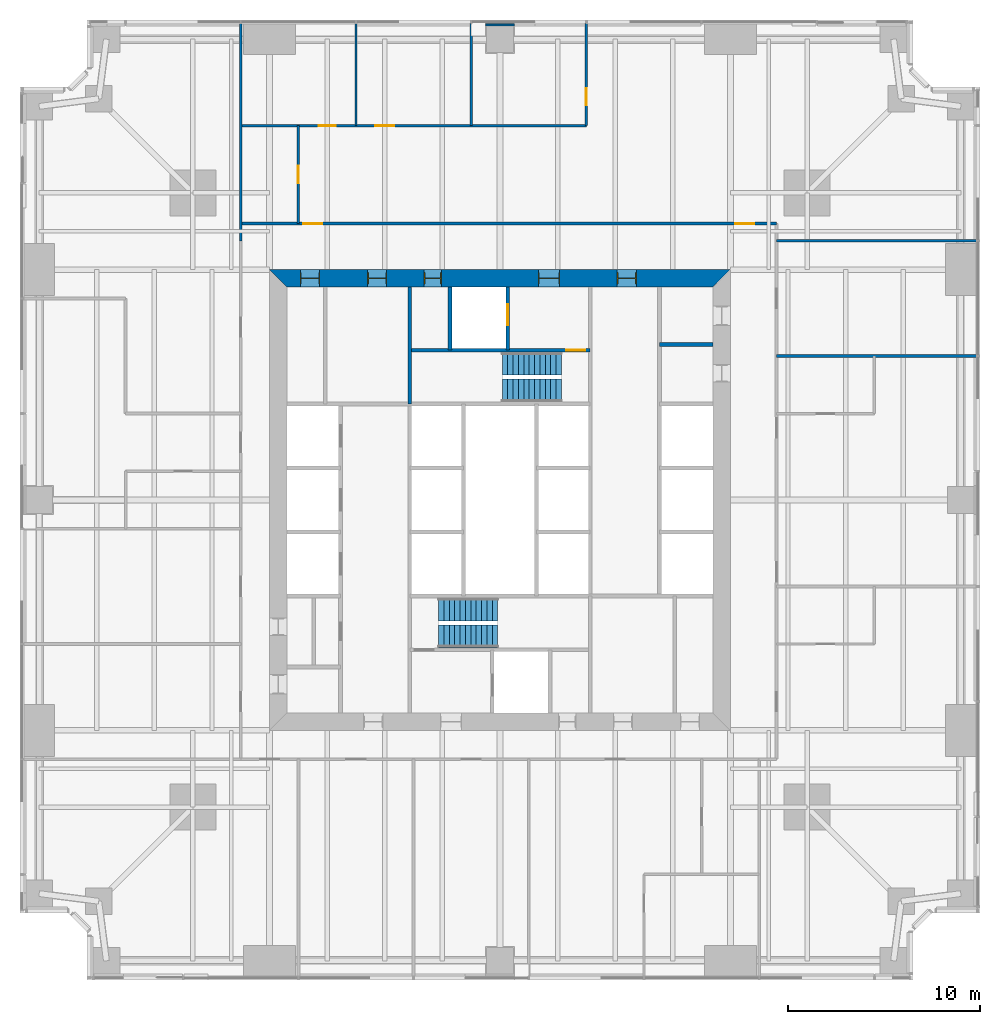
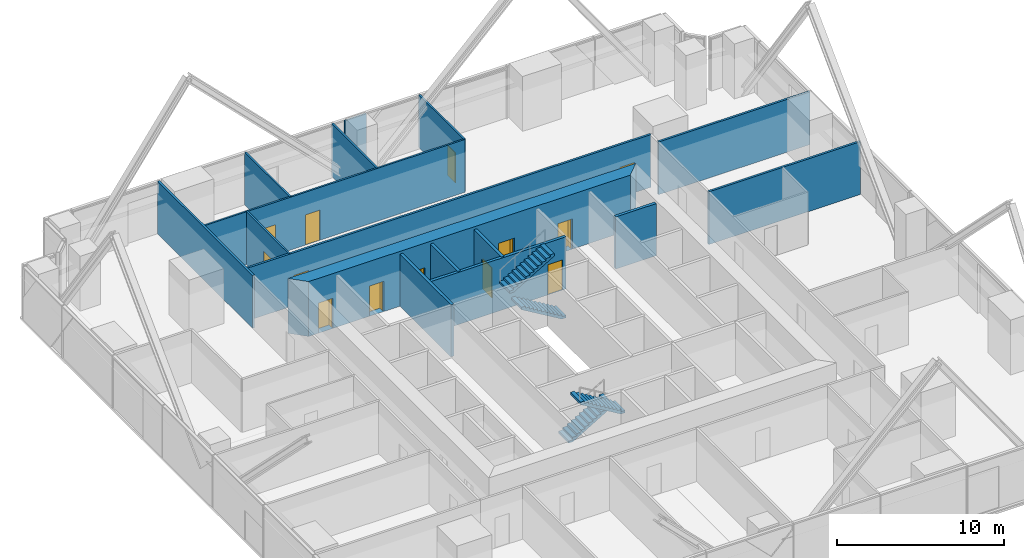
# One storey, part 11 of 13: 16 walls, 13 doors, 4 stair flights, 13 openings, 2 elements without a shape of their own.
"""IFC4 building model written with IfcOpenShell, lengths in metres."""

from ifc_helpers import new_model, si_unit, direction, frame, frame_2d, origin, place, context, subcontext, project, spatial, polyline, rectangle, outline, extrude, material, layer, layer_set, type_object, element, fill, aggregate, save


model = new_model("IFC4")

# Units and contexts
model_context = context("Model", 3, precision=1e-05, world=origin(), true_north=direction((0.0, 1.0)))
body_context = subcontext(model_context, "Body", "Model", "MODEL_VIEW")
ifc_project = project(units=[si_unit("LENGTHUNIT", "METRE"), si_unit("AREAUNIT", "SQUARE_METRE"), si_unit("VOLUMEUNIT", "CUBIC_METRE"), si_unit("PLANEANGLEUNIT", "RADIAN"), si_unit("MASSUNIT", "GRAM", prefix="KILO")], contexts=[model_context])

# Site, building, storey
site_placement = place(None, origin())
site = spatial("IfcSite", under=ifc_project, at=site_placement, CompositionType="ELEMENT")
building_placement = place(site_placement, origin())
building = spatial("IfcBuilding", under=site, at=building_placement, Name="Fenwick Lantern Interchange", CompositionType="ELEMENT")
storey_placement = place(building_placement, frame((0.0, 0.0, 67.0)))
storey = spatial("IfcBuildingStorey", under=building, at=storey_placement, Name="L15", CompositionType="ELEMENT", Elevation=67.0)

# Wall
ifc_material_1 = material(Name="Fire-rated gypsum board encasement on steel studs, 2 hour", Category="steel")
ifc_layer_1 = layer(ifc_material_1, 1.5)
ifc_layer_set_1 = layer_set([ifc_layer_1], Name="COLUMN PIER 1500")
wall_type_1 = type_object("IfcWallType", Name="COLUMN PIER 1500", PredefinedType="PARTITIONING", material=ifc_layer_set_1)
wall_1_placement = place(storey_placement, frame((25.0, 49.800048828125, 0.0), z_axis=(0.0, 0.0, 1.0), x_axis=(0.0, -1.0, 0.0)))
element("IfcWall", 1, at=wall_1_placement, inside=storey, type_object=wall_type_1, Name="L15/W/PIER/CN3", PredefinedType="PARTITIONING", context=body_context, shape_type="SweptSolid", body=[
    extrude(rectangle(XDim=0.10009765625, YDim=1.5, at=frame_2d((0.050048828125, 0.0))), origin(), (0.0, 0.0, 1.0), 3.85009765625),
])

# Wall, opening, door
ifc_material_2 = material(Name="Concrete masonry ASTM C90 Grade N", Category="masonry")
ifc_layer_2 = layer(ifc_material_2, 0.199951171875)
ifc_layer_set_2 = layer_set([ifc_layer_2], Name="Concrete masonry ASTM C90 Grade N")
wall_type_2 = type_object("IfcWallType", Name="CORE PARTITION 200", PredefinedType="PARTITIONING", material=ifc_layer_set_2)
wall_2_placement = place(storey_placement, frame((25.39990234375, 36.10009765625, 0.0), z_axis=(0.0, 0.0, 1.0), x_axis=(0.0, -1.0, 0.0)))
wall_2 = element("IfcWall", 2, at=wall_2_placement, inside=storey, type_object=wall_type_2, Name="L15/W/COREN/h1", PredefinedType="PARTITIONING", context=body_context, shape_type="SweptSolid", body=[
    extrude(rectangle(XDim=3.300048828125, YDim=0.199951171875, at=frame_2d((1.64990234375, 0.0))), origin(), (0.0, 0.0, 1.0), 3.800048828125),
])
opening_1_placement = place(wall_2_placement, frame((0.89990234375, 0.0, 0.0)))
opening_1 = element("IfcOpeningElement", 3, at=opening_1_placement, cuts=wall_2, Name="Opening LD-FL2", PredefinedType="OPENING", context=body_context, shape_type="SweptSolid", body=[
    extrude(rectangle(XDim=1.10009765625, YDim=2.199951171875, at=frame_2d((0.550048828125, 1.10009765625))), frame((0.0, 0.10986328125, 0.0), z_axis=(0.0, -1.0, 0.0), x_axis=(1.0, 0.0, 0.0)), (0.0, 0.0, 1.0), 0.219970703125),
])
ifc_material_3 = material(Name="Steel door and frame", Category="steel")
door_type_1 = type_object("IfcDoorType", Name="LIFT LANDING DOOR 1100 X 2200", OperationType="DOUBLE_DOOR_SLIDING", PredefinedType="DOOR", material=ifc_material_3)
door_1_placement = place(opening_1_placement, origin())
door_1 = element("IfcDoor", 4, at=door_1_placement, inside=storey, type_object=door_type_1, Name="Lift landing door FL2", OperationType="DOUBLE_DOOR_SLIDING", OverallHeight=2.199951171875, OverallWidth=1.10009765625, PredefinedType="DOOR", context=body_context, shape_type="SweptSolid", body=[
    extrude(rectangle(XDim=1.10009765625, YDim=2.199951171875, at=frame_2d((0.550048828125, 1.10009765625))), frame((0.0, 0.02490234375, 0.0), z_axis=(0.0, -1.0, 0.0), x_axis=(1.0, 0.0, 0.0)), (0.0, 0.0, 1.0), 0.050048828125),
])
fill(opening_1, door_1)

# Walls
wall_3_placement = place(storey_placement, frame((22.39990234375, 36.10009765625, 0.0), z_axis=(0.0, 0.0, 1.0), x_axis=(0.0, -1.0, 0.0)))
element("IfcWall", 5, at=wall_3_placement, inside=storey, type_object=wall_type_2, Name="L15/W/COREN/h2", PredefinedType="PARTITIONING", context=body_context, shape_type="SweptSolid", body=[
    extrude(rectangle(XDim=3.300048828125, YDim=0.199951171875, at=frame_2d((1.64990234375, 0.0))), origin(), (0.0, 0.0, 1.0), 3.800048828125),
])
wall_4_placement = place(storey_placement, frame((36.10009765625, 33.10009765625, 0.0), z_axis=(0.0, 0.0, 1.0), x_axis=(-1.0, 0.0, 0.0)))
element("IfcWall", 6, at=wall_4_placement, inside=storey, type_object=wall_type_2, Name="L15/W/COREN/p1", PredefinedType="PARTITIONING", context=body_context, shape_type="SweptSolid", body=[
    extrude(rectangle(XDim=2.800048828125, YDim=0.199951171875, at=frame_2d((1.39990234375, 0.0))), origin(), (0.0, 0.0, 1.0), 3.800048828125),
])

# Wall, openings, doors
ifc_material_4 = material(Name="Concrete f'c 70 MPa", Category="concrete")
ifc_layer_3 = layer(ifc_material_4, 0.89990234375)
ifc_layer_set_3 = layer_set([ifc_layer_3], Name="CORE WALL 900")
wall_type_3 = type_object("IfcWallType", Name="CORE WALL 900", PredefinedType="SHEAR", material=ifc_layer_set_3)
wall_5_placement = place(storey_placement, frame((37.0, 36.550048828125, 0.0), z_axis=(0.0, 0.0, 1.0), x_axis=(-1.0, 0.0, 0.0)))
wall_5 = element("IfcWall", 7, at=wall_5_placement, inside=storey, type_object=wall_type_3, Name="L15/CORE/N", PredefinedType="SHEAR", context=body_context, shape_type="SweptSolid", body=[
    extrude(outline(polyline([(0.0, -0.449951171875), (24.0, -0.449951171875), (23.10009765625, 0.449951171875), (0.89990234375, 0.449951171875), (0.0, -0.449951171875)])), origin(), (0.0, 0.0, 1.0), 4.0),
])
opening_2_placement = place(wall_5_placement, frame((4.89990234375, 0.0, 0.0)))
opening_2 = element("IfcOpeningElement", 8, at=opening_2_placement, cuts=wall_5, Name="Opening L15-D010", PredefinedType="OPENING", context=body_context, shape_type="SweptSolid", body=[
    extrude(rectangle(XDim=1.0, YDim=2.199951171875, at=frame_2d((0.5, 1.10009765625))), frame((0.0, 0.4599609375, 0.0), z_axis=(0.0, -1.0, 0.0), x_axis=(1.0, 0.0, 0.0)), (0.0, 0.0, 1.0), 0.919921875),
])
opening_3_placement = place(wall_5_placement, frame((8.89990234375, 0.0, 0.0)))
opening_3 = element("IfcOpeningElement", 9, at=opening_3_placement, cuts=wall_5, Name="Opening L15-D011", PredefinedType="OPENING", context=body_context, shape_type="SweptSolid", body=[
    extrude(rectangle(XDim=1.10009765625, YDim=2.199951171875, at=frame_2d((0.550048828125, 1.10009765625))), frame((0.0, 0.4599609375, 0.0), z_axis=(0.0, -1.0, 0.0), x_axis=(1.0, 0.0, 0.0)), (0.0, 0.0, 1.0), 0.919921875),
])
opening_4_placement = place(wall_5_placement, frame((15.050048828125, 0.0, 0.0)))
opening_4 = element("IfcOpeningElement", 10, at=opening_4_placement, cuts=wall_5, Name="Opening L15-D013", PredefinedType="OPENING", context=body_context, shape_type="SweptSolid", body=[
    extrude(rectangle(XDim=0.89990234375, YDim=2.199951171875, at=frame_2d((0.449951171875, 1.10009765625))), frame((0.0, 0.4599609375, 0.0), z_axis=(0.0, -1.0, 0.0), x_axis=(1.0, 0.0, 0.0)), (0.0, 0.0, 1.0), 0.919921875),
])
opening_5_placement = place(wall_5_placement, frame((17.89990234375, 0.0, 0.0)))
opening_5 = element("IfcOpeningElement", 11, at=opening_5_placement, cuts=wall_5, Name="Opening L15-D014", PredefinedType="OPENING", context=body_context, shape_type="SweptSolid", body=[
    extrude(rectangle(XDim=1.0, YDim=2.199951171875, at=frame_2d((0.5, 1.10009765625))), frame((0.0, 0.4599609375, 0.0), z_axis=(0.0, -1.0, 0.0), x_axis=(1.0, 0.0, 0.0)), (0.0, 0.0, 1.0), 0.919921875),
])
opening_6_placement = place(wall_5_placement, frame((21.39990234375, 0.0, 0.0)))
opening_6 = element("IfcOpeningElement", 12, at=opening_6_placement, cuts=wall_5, Name="Opening L15-D015", PredefinedType="OPENING", context=body_context, shape_type="SweptSolid", body=[
    extrude(rectangle(XDim=1.0, YDim=2.199951171875, at=frame_2d((0.5, 1.10009765625))), frame((0.0, 0.4599609375, 0.0), z_axis=(0.0, -1.0, 0.0), x_axis=(1.0, 0.0, 0.0)), (0.0, 0.0, 1.0), 0.919921875),
])
door_type_2 = type_object("IfcDoorType", Name="CORE LOBBY DOOR 1000 X 2200", OperationType="SINGLE_SWING_LEFT", PredefinedType="DOOR", material=ifc_material_3)
door_2_placement = place(opening_2_placement, origin())
door_2 = element("IfcDoor", 13, at=door_2_placement, inside=storey, type_object=door_type_2, Name="Core lobby door", OperationType="SINGLE_SWING_LEFT", OverallHeight=2.199951171875, OverallWidth=1.0, PredefinedType="DOOR", context=body_context, shape_type="SweptSolid", body=[
    extrude(rectangle(XDim=1.0, YDim=2.199951171875, at=frame_2d((0.5, 1.10009765625))), frame((0.0, 0.02490234375, 0.0), z_axis=(0.0, -1.0, 0.0), x_axis=(1.0, 0.0, 0.0)), (0.0, 0.0, 1.0), 0.050048828125),
    extrude(outline(polyline([(0.0, 0.0), (0.0400390625, 0.0), (0.0400390625, 2.159912109375), (0.9599609375, 2.159912109375), (0.9599609375, 0.0), (1.0, 0.0), (1.0, 2.199951171875), (0.0, 2.199951171875), (0.0, 0.0)])), frame((0.0, 0.300048828125, 0.0), z_axis=(0.0, -1.0, 0.0), x_axis=(1.0, 0.0, 0.0)), (0.0, 0.0, 1.0), 0.60009765625),
])
fill(opening_2, door_2)
door_type_3 = type_object("IfcDoorType", Name="FIRE LOBBY DOOR 1100 X 2200", OperationType="SINGLE_SWING_LEFT", PredefinedType="DOOR", material=ifc_material_3)
door_3_placement = place(opening_3_placement, origin())
door_3 = element("IfcDoor", 14, at=door_3_placement, inside=storey, type_object=door_type_3, Name="Fire lobby door", OperationType="SINGLE_SWING_LEFT", OverallHeight=2.199951171875, OverallWidth=1.10009765625, PredefinedType="DOOR", context=body_context, shape_type="SweptSolid", body=[
    extrude(rectangle(XDim=1.10009765625, YDim=2.199951171875, at=frame_2d((0.550048828125, 1.10009765625))), frame((0.0, 0.02490234375, 0.0), z_axis=(0.0, -1.0, 0.0), x_axis=(1.0, 0.0, 0.0)), (0.0, 0.0, 1.0), 0.050048828125),
    extrude(outline(polyline([(0.0, 0.0), (0.0400390625, 0.0), (0.0400390625, 2.159912109375), (1.06005859375, 2.159912109375), (1.06005859375, 0.0), (1.10009765625, 0.0), (1.10009765625, 2.199951171875), (0.0, 2.199951171875), (0.0, 0.0)])), frame((0.0, 0.300048828125, 0.0), z_axis=(0.0, -1.0, 0.0), x_axis=(1.0, 0.0, 0.0)), (0.0, 0.0, 1.0), 0.60009765625),
])
fill(opening_3, door_3)
door_type_4 = type_object("IfcDoorType", Name="SERVICE DOOR 900 X 2200", OperationType="SINGLE_SWING_LEFT", PredefinedType="DOOR", material=ifc_material_3)
door_4_placement = place(opening_4_placement, origin())
door_4 = element("IfcDoor", 15, at=door_4_placement, inside=storey, type_object=door_type_4, Name="Service door", OperationType="SINGLE_SWING_LEFT", OverallHeight=2.199951171875, OverallWidth=0.89990234375, PredefinedType="DOOR", context=body_context, shape_type="SweptSolid", body=[
    extrude(rectangle(XDim=0.89990234375, YDim=2.199951171875, at=frame_2d((0.449951171875, 1.10009765625))), frame((0.0, 0.02490234375, 0.0), z_axis=(0.0, -1.0, 0.0), x_axis=(1.0, 0.0, 0.0)), (0.0, 0.0, 1.0), 0.050048828125),
    extrude(outline(polyline([(0.0, 0.0), (0.0400390625, 0.0), (0.0400390625, 2.159912109375), (0.85986328125, 2.159912109375), (0.85986328125, 0.0), (0.89990234375, 0.0), (0.89990234375, 2.199951171875), (0.0, 2.199951171875), (0.0, 0.0)])), frame((0.0, 0.300048828125, 0.0), z_axis=(0.0, -1.0, 0.0), x_axis=(1.0, 0.0, 0.0)), (0.0, 0.0, 1.0), 0.60009765625),
])
fill(opening_4, door_4)
ifc_material_5 = material(Name="Hardwood door and steel frame", Category="steel")
door_type_5 = type_object("IfcDoorType", Name="WC DOOR 1000 X 2200", OperationType="SINGLE_SWING_LEFT", PredefinedType="DOOR", material=ifc_material_5)
door_5_placement = place(opening_5_placement, origin())
door_5 = element("IfcDoor", 16, at=door_5_placement, inside=storey, type_object=door_type_5, Name="Wc door", OperationType="SINGLE_SWING_LEFT", OverallHeight=2.199951171875, OverallWidth=1.0, PredefinedType="DOOR", context=body_context, shape_type="SweptSolid", body=[
    extrude(rectangle(XDim=1.0, YDim=2.199951171875, at=frame_2d((0.5, 1.10009765625))), frame((0.0, 0.02490234375, 0.0), z_axis=(0.0, -1.0, 0.0), x_axis=(1.0, 0.0, 0.0)), (0.0, 0.0, 1.0), 0.050048828125),
    extrude(outline(polyline([(0.0, 0.0), (0.0400390625, 0.0), (0.0400390625, 2.159912109375), (0.9599609375, 2.159912109375), (0.9599609375, 0.0), (1.0, 0.0), (1.0, 2.199951171875), (0.0, 2.199951171875), (0.0, 0.0)])), frame((0.0, 0.300048828125, 0.0), z_axis=(0.0, -1.0, 0.0), x_axis=(1.0, 0.0, 0.0)), (0.0, 0.0, 1.0), 0.60009765625),
])
fill(opening_5, door_5)
door_6_placement = place(opening_6_placement, origin())
door_6 = element("IfcDoor", 17, at=door_6_placement, inside=storey, type_object=door_type_5, Name="Wc door", OperationType="SINGLE_SWING_LEFT", OverallHeight=2.199951171875, OverallWidth=1.0, PredefinedType="DOOR", context=body_context, shape_type="SweptSolid", body=[
    extrude(rectangle(XDim=1.0, YDim=2.199951171875, at=frame_2d((0.5, 1.10009765625))), frame((0.0, 0.02490234375, 0.0), z_axis=(0.0, -1.0, 0.0), x_axis=(1.0, 0.0, 0.0)), (0.0, 0.0, 1.0), 0.050048828125),
    extrude(outline(polyline([(0.0, 0.0), (0.0400390625, 0.0), (0.0400390625, 2.159912109375), (0.9599609375, 2.159912109375), (0.9599609375, 0.0), (1.0, 0.0), (1.0, 2.199951171875), (0.0, 2.199951171875), (0.0, 0.0)])), frame((0.0, 0.300048828125, 0.0), z_axis=(0.0, -1.0, 0.0), x_axis=(1.0, 0.0, 0.0)), (0.0, 0.0, 1.0), 0.60009765625),
])
fill(opening_6, door_6)

ifc_material_6 = material(Name="Gypsum board on steel studs, 1 hour", Category="steel")
ifc_layer_4 = layer(ifc_material_6, 0.14990234375)
ifc_layer_set_4 = layer_set([ifc_layer_4], Name="CORRIDOR WALL 150")
wall_type_4 = type_object("IfcWallType", Name="CORRIDOR WALL 150", PredefinedType="PARTITIONING", material=ifc_layer_set_4)
wall_6_placement = place(storey_placement, frame((39.39990234375, 39.39990234375, 0.0), z_axis=(0.0, 0.0, 1.0), x_axis=(-1.0, 0.0, 0.0)))
wall_6 = element("IfcWall", 18, at=wall_6_placement, inside=storey, type_object=wall_type_4, Name="L15/W/OFF/N/CW2", PredefinedType="PARTITIONING", context=body_context, shape_type="SweptSolid", body=[
    extrude(rectangle(XDim=27.89990234375, YDim=0.14990234375, at=frame_2d((13.949951171875, 0.0))), origin(), (0.0, 0.0, 1.0), 3.85009765625),
])
opening_7_placement = place(wall_6_placement, frame((1.14990234375, 0.0, 0.0)))
opening_7 = element("IfcOpeningElement", 19, at=opening_7_placement, cuts=wall_6, Name="Opening L15-D030", PredefinedType="OPENING", context=body_context, shape_type="SweptSolid", body=[
    extrude(rectangle(XDim=1.0, YDim=2.199951171875, at=frame_2d((0.5, 1.10009765625))), frame((0.0, 0.0849609375, 0.0), z_axis=(0.0, -1.0, 0.0), x_axis=(1.0, 0.0, 0.0)), (0.0, 0.0, 1.0), 0.169921875),
])
opening_8_placement = place(wall_6_placement, frame((23.64990234375, 0.0, 0.0)))
opening_8 = element("IfcOpeningElement", 20, at=opening_8_placement, cuts=wall_6, Name="Opening L15-D031", PredefinedType="OPENING", context=body_context, shape_type="SweptSolid", body=[
    extrude(rectangle(XDim=1.0, YDim=2.199951171875, at=frame_2d((0.5, 1.10009765625))), frame((0.0, 0.0849609375, 0.0), z_axis=(0.0, -1.0, 0.0), x_axis=(1.0, 0.0, 0.0)), (0.0, 0.0, 1.0), 0.169921875),
])
door_type_6 = type_object("IfcDoorType", Name="SUITE ENTRANCE DOOR 1000 X 2200", OperationType="SINGLE_SWING_LEFT", PredefinedType="DOOR", material=ifc_material_3)
door_7_placement = place(opening_7_placement, origin())
door_7 = element("IfcDoor", 21, at=door_7_placement, inside=storey, type_object=door_type_6, Name="Suite entrance door", OperationType="SINGLE_SWING_LEFT", OverallHeight=2.199951171875, OverallWidth=1.0, PredefinedType="DOOR", context=body_context, shape_type="SweptSolid", body=[
    extrude(rectangle(XDim=1.0, YDim=2.199951171875, at=frame_2d((0.5, 1.10009765625))), frame((0.0, 0.02490234375, 0.0), z_axis=(0.0, -1.0, 0.0), x_axis=(1.0, 0.0, 0.0)), (0.0, 0.0, 1.0), 0.050048828125),
])
fill(opening_7, door_7)
door_8_placement = place(opening_8_placement, origin())
door_8 = element("IfcDoor", 22, at=door_8_placement, inside=storey, type_object=door_type_6, Name="Suite entrance door", OperationType="SINGLE_SWING_RIGHT", OverallHeight=2.199951171875, OverallWidth=1.0, PredefinedType="DOOR", context=body_context, shape_type="SweptSolid", body=[
    extrude(rectangle(XDim=1.0, YDim=2.199951171875, at=frame_2d((0.5, 1.10009765625))), frame((0.0, 0.02490234375, 0.0), z_axis=(0.0, -1.0, 0.0), x_axis=(1.0, 0.0, 0.0)), (0.0, 0.0, 1.0), 0.050048828125),
])
fill(opening_8, door_8)

# Wall, opening, door
ifc_material_7 = material(Name="Gypsum board on steel studs, acoustic", Category="steel")
ifc_layer_5 = layer(ifc_material_7, 0.125)
ifc_layer_set_5 = layer_set([ifc_layer_5], Name="OFFICE PARTITION 125")
wall_type_5 = type_object("IfcWallType", Name="OFFICE PARTITION 125", PredefinedType="PARTITIONING", material=ifc_layer_set_5)
wall_7_placement = place(storey_placement, frame((29.5, 49.85009765625, 0.0), z_axis=(0.0, 0.0, 1.0), x_axis=(0.0, -1.0, 0.0)))
wall_7 = element("IfcWall", 23, at=wall_7_placement, inside=storey, type_object=wall_type_5, Name="L15/W/OFF/N/X205-1", PredefinedType="PARTITIONING", context=body_context, shape_type="SweptSolid", body=[
    extrude(rectangle(XDim=5.35009765625, YDim=0.125, at=frame_2d((2.675048828125, 0.0))), origin(), (0.0, 0.0, 1.0), 3.85009765625),
])
opening_9_placement = place(wall_7_placement, frame((3.39990234375, 0.0, 0.0)))
opening_9 = element("IfcOpeningElement", 24, at=opening_9_placement, cuts=wall_7, Name="Opening L15-D032", PredefinedType="OPENING", context=body_context, shape_type="SweptSolid", body=[
    extrude(rectangle(XDim=0.89990234375, YDim=2.199951171875, at=frame_2d((0.449951171875, 1.10009765625))), frame((0.0, 0.072509765625, 0.0), z_axis=(0.0, -1.0, 0.0), x_axis=(1.0, 0.0, 0.0)), (0.0, 0.0, 1.0), 0.14501953125),
])
door_type_7 = type_object("IfcDoorType", Name="OFFICE DOOR 900 X 2200", OperationType="SINGLE_SWING_LEFT", PredefinedType="DOOR", material=ifc_material_5)
door_9_placement = place(opening_9_placement, frame((0.89990234375, 0.0, 0.0), z_axis=(0.0, 0.0, 1.0), x_axis=(-1.0, 0.0, 0.0)))
door_9 = element("IfcDoor", 25, at=door_9_placement, inside=storey, type_object=door_type_7, Name="Office door", OperationType="SINGLE_SWING_LEFT", OverallHeight=2.199951171875, OverallWidth=0.89990234375, PredefinedType="DOOR", context=body_context, shape_type="SweptSolid", body=[
    extrude(rectangle(XDim=0.89990234375, YDim=2.199951171875, at=frame_2d((0.449951171875, 1.10009765625))), frame((0.0, 0.02490234375, 0.0), z_axis=(0.0, -1.0, 0.0), x_axis=(1.0, 0.0, 0.0)), (0.0, 0.0, 1.0), 0.050048828125),
])
fill(opening_9, door_9)

# Walls
for number, where, z_axis, x_axis, name in (
    (26, (23.5, 49.85009765625, 0.0), (0.0, 0.0, 1.0), (0.0, -1.0, 0.0), "L15/W/OFF/N/X265-1"),
    (27, (17.5, 49.85009765625, 0.0), (0.0, 0.0, 1.0), (0.0, -1.0, 0.0), "L15/W/OFF/N/X325-1"),
):
    element("IfcWall", number, at=place(storey_placement, frame(where, z_axis=z_axis, x_axis=x_axis)), inside=storey, type_object=wall_type_5, Name=name, PredefinedType="PARTITIONING", context=body_context, shape_type="SweptSolid", body=[
        extrude(rectangle(XDim=5.35009765625, YDim=0.125, at=frame_2d((2.675048828125, 0.0))), origin(), (0.0, 0.0, 1.0), 3.85009765625),
    ])

# Wall, opening, door
wall_8_placement = place(storey_placement, frame((14.5, 44.5, 0.0), z_axis=(0.0, 0.0, 1.0), x_axis=(0.0, -1.0, 0.0)))
wall_8 = element("IfcWall", 28, at=wall_8_placement, inside=storey, type_object=wall_type_5, Name="L15/W/OFF/N/X355-1", PredefinedType="PARTITIONING", context=body_context, shape_type="SweptSolid", body=[
    extrude(rectangle(XDim=5.10009765625, YDim=0.125, at=frame_2d((2.550048828125, 0.0))), origin(), (0.0, 0.0, 1.0), 3.85009765625),
])
opening_10_placement = place(wall_8_placement, frame((2.10009765625, 0.0, 0.0)))
opening_10 = element("IfcOpeningElement", 29, at=opening_10_placement, cuts=wall_8, Name="Opening L15-D035", PredefinedType="OPENING", context=body_context, shape_type="SweptSolid", body=[
    extrude(rectangle(XDim=0.89990234375, YDim=2.199951171875, at=frame_2d((0.449951171875, 1.10009765625))), frame((0.0, 0.072509765625, 0.0), z_axis=(0.0, -1.0, 0.0), x_axis=(1.0, 0.0, 0.0)), (0.0, 0.0, 1.0), 0.14501953125),
])
door_10_placement = place(opening_10_placement, frame((0.89990234375, 0.0, 0.0), z_axis=(0.0, 0.0, 1.0), x_axis=(-1.0, 0.0, 0.0)))
door_10 = element("IfcDoor", 30, at=door_10_placement, inside=storey, type_object=door_type_7, Name="Office door", OperationType="SINGLE_SWING_RIGHT", OverallHeight=2.199951171875, OverallWidth=0.89990234375, PredefinedType="DOOR", context=body_context, shape_type="SweptSolid", body=[
    extrude(rectangle(XDim=0.89990234375, YDim=2.199951171875, at=frame_2d((0.449951171875, 1.10009765625))), frame((0.0, 0.02490234375, 0.0), z_axis=(0.0, -1.0, 0.0), x_axis=(1.0, 0.0, 0.0)), (0.0, 0.0, 1.0), 0.050048828125),
])
fill(opening_10, door_10)

# Wall, openings, doors
wall_9_placement = place(storey_placement, frame((29.5, 44.5, 0.0), z_axis=(0.0, 0.0, 1.0), x_axis=(-1.0, 0.0, 0.0)))
wall_9 = element("IfcWall", 31, at=wall_9_placement, inside=storey, type_object=wall_type_5, Name="L15/W/OFF/N/Y55-1", PredefinedType="PARTITIONING", context=body_context, shape_type="SweptSolid", body=[
    extrude(rectangle(XDim=18.0, YDim=0.125, at=frame_2d((9.0, 0.0))), origin(), (0.0, 0.0, 1.0), 3.85009765625),
])
opening_11_placement = place(wall_9_placement, frame((10.0, 0.0, 0.0)))
opening_11 = element("IfcOpeningElement", 32, at=opening_11_placement, cuts=wall_9, Name="Opening L15-D033", PredefinedType="OPENING", context=body_context, shape_type="SweptSolid", body=[
    extrude(rectangle(XDim=1.0, YDim=2.199951171875, at=frame_2d((0.5, 1.10009765625))), frame((0.0, 0.072509765625, 0.0), z_axis=(0.0, -1.0, 0.0), x_axis=(1.0, 0.0, 0.0)), (0.0, 0.0, 1.0), 0.14501953125),
])
opening_12_placement = place(wall_9_placement, frame((13.050048828125, 0.0, 0.0)))
opening_12 = element("IfcOpeningElement", 33, at=opening_12_placement, cuts=wall_9, Name="Opening L15-D034", PredefinedType="OPENING", context=body_context, shape_type="SweptSolid", body=[
    extrude(rectangle(XDim=0.89990234375, YDim=2.199951171875, at=frame_2d((0.449951171875, 1.10009765625))), frame((0.0, 0.072509765625, 0.0), z_axis=(0.0, -1.0, 0.0), x_axis=(1.0, 0.0, 0.0)), (0.0, 0.0, 1.0), 0.14501953125),
])
door_type_8 = type_object("IfcDoorType", Name="MEETING ROOM DOOR 1000 X 2200", OperationType="SINGLE_SWING_LEFT", PredefinedType="DOOR", material=ifc_material_5)
door_11_placement = place(opening_11_placement, frame((1.0, 0.0, 0.0), z_axis=(0.0, 0.0, 1.0), x_axis=(-1.0, 0.0, 0.0)))
door_11 = element("IfcDoor", 34, at=door_11_placement, inside=storey, type_object=door_type_8, Name="Meeting room door", OperationType="SINGLE_SWING_LEFT", OverallHeight=2.199951171875, OverallWidth=1.0, PredefinedType="DOOR", context=body_context, shape_type="SweptSolid", body=[
    extrude(rectangle(XDim=1.0, YDim=2.199951171875, at=frame_2d((0.5, 1.10009765625))), frame((0.0, 0.02490234375, 0.0), z_axis=(0.0, -1.0, 0.0), x_axis=(1.0, 0.0, 0.0)), (0.0, 0.0, 1.0), 0.050048828125),
])
fill(opening_11, door_11)
door_12_placement = place(opening_12_placement, frame((0.89990234375, 0.0, 0.0), z_axis=(0.0, 0.0, 1.0), x_axis=(-1.0, 0.0, 0.0)))
door_12 = element("IfcDoor", 35, at=door_12_placement, inside=storey, type_object=door_type_7, Name="Office door", OperationType="SINGLE_SWING_RIGHT", OverallHeight=2.199951171875, OverallWidth=0.89990234375, PredefinedType="DOOR", context=body_context, shape_type="SweptSolid", body=[
    extrude(rectangle(XDim=0.89990234375, YDim=2.199951171875, at=frame_2d((0.449951171875, 1.10009765625))), frame((0.0, 0.02490234375, 0.0), z_axis=(0.0, -1.0, 0.0), x_axis=(1.0, 0.0, 0.0)), (0.0, 0.0, 1.0), 0.050048828125),
])
fill(opening_12, door_12)

# Wall, opening, door
ifc_material_8 = material(Name="Concrete f'c 45 MPa", Category="concrete")
ifc_layer_6 = layer(ifc_material_8, 0.199951171875)
ifc_layer_set_6 = layer_set([ifc_layer_6], Name="STAIR CORE WALL 200")
wall_type_6 = type_object("IfcWallType", Name="STAIR CORE WALL 200", PredefinedType="SOLIDWALL", material=ifc_layer_set_6)
wall_10_placement = place(storey_placement, frame((29.699951171875, 32.800048828125, 0.0), z_axis=(0.0, 0.0, 1.0), x_axis=(-1.0, 0.0, 0.0)))
wall_10 = element("IfcWall", 36, at=wall_10_placement, inside=storey, type_object=wall_type_6, Name="L15/W/COREN/g1", PredefinedType="SOLIDWALL", context=body_context, shape_type="SweptSolid", body=[
    extrude(rectangle(XDim=9.39990234375, YDim=0.199951171875, at=frame_2d((4.699951171875, 0.0))), origin(), (0.0, 0.0, 1.0), 3.800048828125),
])
opening_13_placement = place(wall_10_placement, frame((0.25, 0.0, 0.0)))
opening_13 = element("IfcOpeningElement", 37, at=opening_13_placement, cuts=wall_10, Name="Opening L15-D012", PredefinedType="OPENING", context=body_context, shape_type="SweptSolid", body=[
    extrude(rectangle(XDim=1.0, YDim=2.199951171875, at=frame_2d((0.5, 1.10009765625))), frame((0.0, 0.10986328125, 0.0), z_axis=(0.0, -1.0, 0.0), x_axis=(1.0, 0.0, 0.0)), (0.0, 0.0, 1.0), 0.219970703125),
])
door_type_9 = type_object("IfcDoorType", Name="STAIR DOOR 1000 X 2200", OperationType="SINGLE_SWING_LEFT", PredefinedType="DOOR", material=ifc_material_3)
door_13_placement = place(opening_13_placement, origin())
door_13 = element("IfcDoor", 38, at=door_13_placement, inside=storey, type_object=door_type_9, Name="Stair door", OperationType="SINGLE_SWING_LEFT", OverallHeight=2.199951171875, OverallWidth=1.0, PredefinedType="DOOR", context=body_context, shape_type="SweptSolid", body=[
    extrude(rectangle(XDim=1.0, YDim=2.199951171875, at=frame_2d((0.5, 1.10009765625))), frame((0.0, 0.02490234375, 0.0), z_axis=(0.0, -1.0, 0.0), x_axis=(1.0, 0.0, 0.0)), (0.0, 0.0, 1.0), 0.050048828125),
])
fill(opening_13, door_13)

# Walls
wall_11_placement = place(storey_placement, frame((20.300048828125, 36.10009765625, 0.0), z_axis=(0.0, 0.0, 1.0), x_axis=(0.0, -1.0, 0.0)))
element("IfcWall", 39, at=wall_11_placement, inside=storey, type_object=wall_type_6, Name="L15/W/COREN/i1", PredefinedType="SOLIDWALL", context=body_context, shape_type="SweptSolid", body=[
    extrude(rectangle(XDim=6.10009765625, YDim=0.199951171875, at=frame_2d((3.050048828125, 0.0))), origin(), (0.0, 0.0, 1.0), 3.800048828125),
])
ifc_material_9 = material(Name="Gypsum board on steel studs, 1 hour acoustic", Category="steel")
ifc_layer_7 = layer(ifc_material_9, 0.14990234375)
ifc_layer_set_7 = layer_set([ifc_layer_7], Name="TENANT WALL 150")
wall_type_7 = type_object("IfcWallType", Name="TENANT WALL 150", PredefinedType="PARTITIONING", material=ifc_layer_set_7)
for number, where, z_axis, x_axis, name in (
    (40, (49.85009765625, 32.5, 0.0), (0.0, 0.0, 1.0), (-1.0, 0.0, 0.0), "L15/W/OFF/E/X325-1"),
    (41, (49.85009765625, 38.5, 0.0), (0.0, 0.0, 1.0), (-1.0, 0.0, 0.0), "L15/W/OFF/N/BACK"),
):
    element("IfcWall", number, at=place(storey_placement, frame(where, z_axis=z_axis, x_axis=x_axis)), inside=storey, type_object=wall_type_7, Name=name, PredefinedType="PARTITIONING", context=body_context, shape_type="SweptSolid", body=[
        extrude(rectangle(XDim=10.4501953125, YDim=0.14990234375, at=frame_2d((5.22509765625, 0.0))), origin(), (0.0, 0.0, 1.0), 3.85009765625),
    ])
wall_12_placement = place(storey_placement, frame((11.5, 49.85009765625, 0.0), z_axis=(0.0, 0.0, 1.0), x_axis=(0.0, -1.0, 0.0)))
element("IfcWall", 42, at=wall_12_placement, inside=storey, type_object=wall_type_7, Name="L15/W/OFF/W/BACK", PredefinedType="PARTITIONING", context=body_context, shape_type="SweptSolid", body=[
    extrude(rectangle(XDim=11.35009765625, YDim=0.14990234375, at=frame_2d((5.675048828125, 0.0))), origin(), (0.0, 0.0, 1.0), 3.85009765625),
])

# Stair, stair flights
ifc_material_10 = material(Name="Precast concrete f'c 35 MPa", Category="concrete")
stair_type = type_object("IfcStairType", Name="EXIT STAIR 1200", PredefinedType="HALF_TURN_STAIR", material=ifc_material_10)
stair_1_placement = place(storey_placement, origin())
stair_1 = element("IfcStair", 43, at=stair_1_placement, inside=storey, type_object=stair_type, Name="Exit stair ST1", PredefinedType="HALF_TURN_STAIR")
stair_flight_type = type_object("IfcStairFlightType", Name="STAIR FLIGHT 1200", PredefinedType="STRAIGHT", material=ifc_material_10)
stair_flight_1_placement = place(storey_placement, frame((21.800048828125, 19.300048828125, 0.0), z_axis=(0.0, 0.0, 1.0), x_axis=(1.0, 0.0, 0.0)))
stair_flight_1 = element("IfcStairFlight", 44, at=stair_flight_1_placement, type_object=stair_flight_type, Name="ST1 flight 1", NumberOfRisers=12, NumberOfTreads=11, PredefinedType="STRAIGHT", RiserHeight=0.166666667, TreadLength=0.28, context=body_context, shape_type="SweptSolid", body=[
    extrude(outline(polyline([(0.0, 0.0), (0.0, 0.166748046875), (0.280029296875, 0.166748046875), (0.280029296875, 0.333251953125), (0.56005859375, 0.333251953125), (0.56005859375, 0.5), (0.840087890625, 0.5), (0.840087890625, 0.666748046875), (1.1201171875, 0.666748046875), (1.1201171875, 0.833251953125), (1.39990234375, 0.833251953125), (1.39990234375, 1.0), (1.679931640625, 1.0), (1.679931640625, 1.166748046875), (1.9599609375, 1.166748046875), (1.9599609375, 1.333251953125), (2.239990234375, 1.333251953125), (2.239990234375, 1.5), (2.52001953125, 1.5), (2.52001953125, 1.666748046875), (2.800048828125, 1.666748046875), (2.800048828125, 1.833251953125), (3.080078125, 1.833251953125), (3.080078125, 2.0), (3.080078125, 1.658935546875), (0.29296875, 0.0), (0.0, 0.0)])), frame((0.0, 0.60009765625, 0.0), z_axis=(0.0, -1.0, 0.0), x_axis=(1.0, 0.0, 0.0)), (0.0, 0.0, 1.0), 1.199951171875),
])
stair_flight_2_placement = place(storey_placement, frame((24.8798828125, 17.89990234375, 2.0), z_axis=(0.0, 0.0, 1.0), x_axis=(-1.0, 0.0, 0.0)))
stair_flight_2 = element("IfcStairFlight", 45, at=stair_flight_2_placement, type_object=stair_flight_type, Name="ST1 flight 2", NumberOfRisers=12, NumberOfTreads=11, PredefinedType="STRAIGHT", RiserHeight=0.166666667, TreadLength=0.28, context=body_context, shape_type="SweptSolid", body=[
    extrude(outline(polyline([(0.0, 0.0), (0.0, 0.166748046875), (0.280029296875, 0.166748046875), (0.280029296875, 0.333251953125), (0.56005859375, 0.333251953125), (0.56005859375, 0.5), (0.840087890625, 0.5), (0.840087890625, 0.666748046875), (1.1201171875, 0.666748046875), (1.1201171875, 0.833251953125), (1.39990234375, 0.833251953125), (1.39990234375, 1.0), (1.679931640625, 1.0), (1.679931640625, 1.166748046875), (1.9599609375, 1.166748046875), (1.9599609375, 1.333251953125), (2.239990234375, 1.333251953125), (2.239990234375, 1.5), (2.52001953125, 1.5), (2.52001953125, 1.666748046875), (2.800048828125, 1.666748046875), (2.800048828125, 1.833251953125), (3.080078125, 1.833251953125), (3.080078125, 2.0), (3.080078125, 1.658935546875), (0.29296875, 0.0), (0.0, 0.0)])), frame((0.0, 0.60009765625, 0.0), z_axis=(0.0, -1.0, 0.0), x_axis=(1.0, 0.0, 0.0)), (0.0, 0.0, 1.0), 1.199951171875),
])
aggregate(stair_1, [stair_flight_1, stair_flight_2])

stair_2_placement = place(storey_placement, origin())
stair_2 = element("IfcStair", 46, at=stair_2_placement, inside=storey, type_object=stair_type, Name="Exit stair ST2", PredefinedType="HALF_TURN_STAIR")
stair_flight_3_placement = place(storey_placement, frame((28.199951171875, 30.699951171875, 0.0), z_axis=(0.0, 0.0, 1.0), x_axis=(-1.0, 0.0, 0.0)))
stair_flight_3 = element("IfcStairFlight", 47, at=stair_flight_3_placement, type_object=stair_flight_type, Name="ST2 flight 1", NumberOfRisers=12, NumberOfTreads=11, PredefinedType="STRAIGHT", RiserHeight=0.166666667, TreadLength=0.28, context=body_context, shape_type="SweptSolid", body=[
    extrude(outline(polyline([(0.0, 0.0), (0.0, 0.166748046875), (0.280029296875, 0.166748046875), (0.280029296875, 0.333251953125), (0.56005859375, 0.333251953125), (0.56005859375, 0.5), (0.840087890625, 0.5), (0.840087890625, 0.666748046875), (1.1201171875, 0.666748046875), (1.1201171875, 0.833251953125), (1.39990234375, 0.833251953125), (1.39990234375, 1.0), (1.679931640625, 1.0), (1.679931640625, 1.166748046875), (1.9599609375, 1.166748046875), (1.9599609375, 1.333251953125), (2.239990234375, 1.333251953125), (2.239990234375, 1.5), (2.52001953125, 1.5), (2.52001953125, 1.666748046875), (2.800048828125, 1.666748046875), (2.800048828125, 1.833251953125), (3.080078125, 1.833251953125), (3.080078125, 2.0), (3.080078125, 1.658935546875), (0.29296875, 0.0), (0.0, 0.0)])), frame((0.0, 0.60009765625, 0.0), z_axis=(0.0, -1.0, 0.0), x_axis=(1.0, 0.0, 0.0)), (0.0, 0.0, 1.0), 1.199951171875),
])
stair_flight_4_placement = place(storey_placement, frame((25.1201171875, 32.10009765625, 2.0), z_axis=(0.0, 0.0, 1.0), x_axis=(1.0, 0.0, 0.0)))
stair_flight_4 = element("IfcStairFlight", 48, at=stair_flight_4_placement, type_object=stair_flight_type, Name="ST2 flight 2", NumberOfRisers=12, NumberOfTreads=11, PredefinedType="STRAIGHT", RiserHeight=0.166666667, TreadLength=0.28, context=body_context, shape_type="SweptSolid", body=[
    extrude(outline(polyline([(0.0, 0.0), (0.0, 0.166748046875), (0.280029296875, 0.166748046875), (0.280029296875, 0.333251953125), (0.56005859375, 0.333251953125), (0.56005859375, 0.5), (0.840087890625, 0.5), (0.840087890625, 0.666748046875), (1.1201171875, 0.666748046875), (1.1201171875, 0.833251953125), (1.39990234375, 0.833251953125), (1.39990234375, 1.0), (1.679931640625, 1.0), (1.679931640625, 1.166748046875), (1.9599609375, 1.166748046875), (1.9599609375, 1.333251953125), (2.239990234375, 1.333251953125), (2.239990234375, 1.5), (2.52001953125, 1.5), (2.52001953125, 1.666748046875), (2.800048828125, 1.666748046875), (2.800048828125, 1.833251953125), (3.080078125, 1.833251953125), (3.080078125, 2.0), (3.080078125, 1.658935546875), (0.29296875, 0.0), (0.0, 0.0)])), frame((0.0, 0.60009765625, 0.0), z_axis=(0.0, -1.0, 0.0), x_axis=(1.0, 0.0, 0.0)), (0.0, 0.0, 1.0), 1.199951171875),
])
aggregate(stair_2, [stair_flight_3, stair_flight_4])

save(model, "model.ifc")
